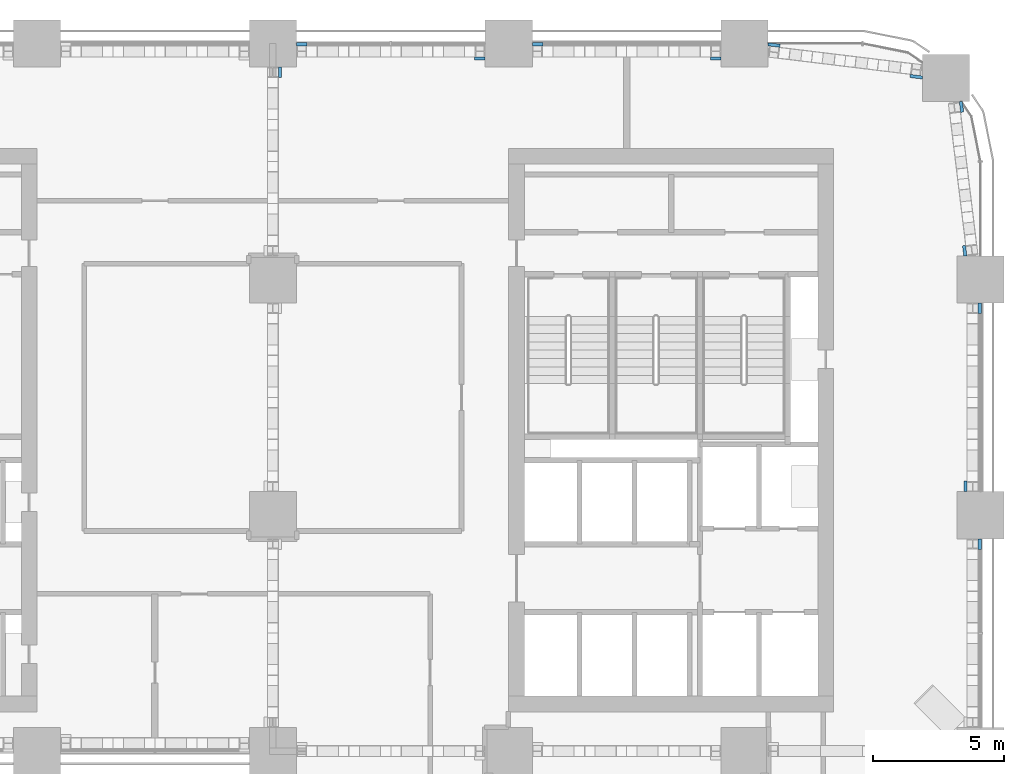
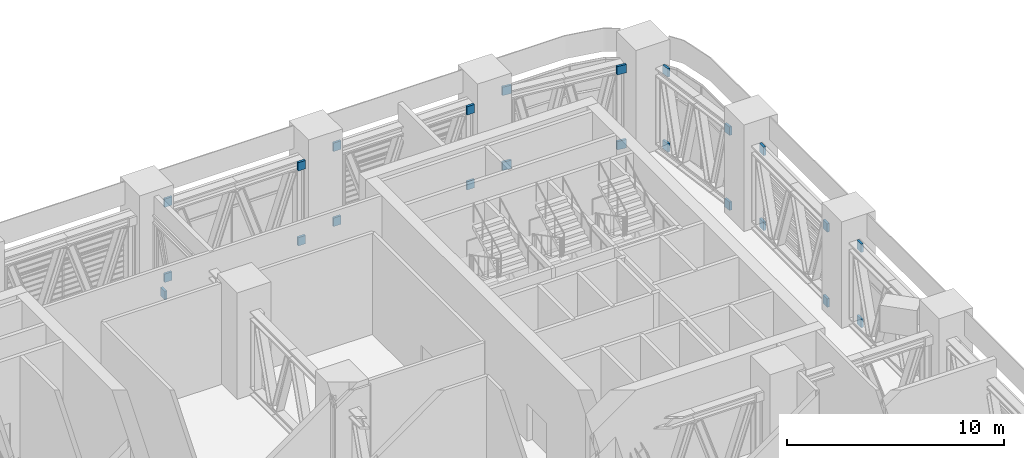
# One storey, part 21 of 24: 23 discrete accessories.
"""IFC4 building model written with IfcOpenShell, lengths in metres."""

from ifc_helpers import new_model, si_unit, direction, frame, origin, place, context, subcontext, project, spatial, polyline, outline, extrude, element, save


model = new_model("IFC4")

# Units and contexts
model_context = context("Model", 3, precision=1e-05, world=origin(), true_north=direction((0.0, 1.0)))
body_context = subcontext(model_context, "Body", "Model", "MODEL_VIEW")
ifc_project = project(units=[si_unit("LENGTHUNIT", "METRE"), si_unit("AREAUNIT", "SQUARE_METRE"), si_unit("VOLUMEUNIT", "CUBIC_METRE"), si_unit("PLANEANGLEUNIT", "RADIAN"), si_unit("MASSUNIT", "GRAM", prefix="KILO")], contexts=[model_context])

# Site, building, storey
site_placement = place(None, origin())
site = spatial("IfcSite", under=ifc_project, at=site_placement, CompositionType="ELEMENT")
building_placement = place(site_placement, origin())
building = spatial("IfcBuilding", under=site, at=building_placement, Name="Tessera Arch", CompositionType="ELEMENT")
storey_placement = place(building_placement, frame((0.0, 0.0, 123.39990234375)))
storey = spatial("IfcBuildingStorey", under=building, at=storey_placement, Name="L29", CompositionType="ELEMENT", Elevation=123.39990234375)

# Discrete accessories
discrete_accessory_1_placement = place(storey_placement, frame((0.0, 0.0, 4.225830078125)))
element("IfcDiscreteAccessory", 1, at=discrete_accessory_1_placement, inside=storey, Name="Chord seat bracket", PredefinedType="BRACKET", context=body_context, shape_type="SweptSolid", body=[
    extrude(outline(polyline([(43.699951171875, 53.488037109375), (44.10009765625, 53.488037109375), (44.10009765625, 53.367919921875), (43.699951171875, 53.367919921875), (43.699951171875, 53.488037109375)])), origin(), (0.0, 0.0, 1.0), 0.474365234375),
])
discrete_accessory_2_placement = place(storey_placement, frame((0.0, 0.0, 4.225830078125)))
element("IfcDiscreteAccessory", 2, at=discrete_accessory_2_placement, inside=storey, Name="Chord seat bracket", PredefinedType="BRACKET", context=body_context, shape_type="SweptSolid", body=[
    extrude(outline(polyline([(36.89990234375, 53.912109375), (36.89990234375, 54.031982421875), (37.300048828125, 54.031982421875), (37.300048828125, 53.912109375), (36.89990234375, 53.912109375)])), origin(), (0.0, 0.0, 1.0), 0.474365234375),
])
discrete_accessory_3_placement = place(storey_placement, origin())
element("IfcDiscreteAccessory", 3, at=discrete_accessory_3_placement, inside=storey, Name="Chord seat bracket", PredefinedType="BRACKET", context=body_context, shape_type="SweptSolid", body=[
    extrude(outline(polyline([(43.699951171875, 53.488037109375), (44.10009765625, 53.488037109375), (44.10009765625, 53.367919921875), (43.699951171875, 53.367919921875), (43.699951171875, 53.488037109375)])), origin(), (0.0, 0.0, 1.0), 0.474365234375),
])
discrete_accessory_4_placement = place(storey_placement, origin())
element("IfcDiscreteAccessory", 4, at=discrete_accessory_4_placement, inside=storey, Name="Chord seat bracket", PredefinedType="BRACKET", context=body_context, shape_type="SweptSolid", body=[
    extrude(outline(polyline([(36.89990234375, 53.912109375), (36.89990234375, 54.031982421875), (37.300048828125, 54.031982421875), (37.300048828125, 53.912109375), (36.89990234375, 53.912109375)])), origin(), (0.0, 0.0, 1.0), 0.474365234375),
])
discrete_accessory_5_placement = place(storey_placement, frame((0.0, 0.0, 4.225830078125)))
element("IfcDiscreteAccessory", 5, at=discrete_accessory_5_placement, inside=storey, Name="Chord seat bracket", PredefinedType="BRACKET", context=body_context, shape_type="SweptSolid", body=[
    extrude(outline(polyline([(35.10009765625, 53.488037109375), (35.10009765625, 53.367919921875), (34.699951171875, 53.367919921875), (34.699951171875, 53.488037109375), (35.10009765625, 53.488037109375)])), origin(), (0.0, 0.0, 1.0), 0.474365234375),
])
discrete_accessory_6_placement = place(storey_placement, frame((0.0, 0.0, 4.225830078125)))
element("IfcDiscreteAccessory", 6, at=discrete_accessory_6_placement, inside=storey, Name="Chord seat bracket", PredefinedType="BRACKET", context=body_context, shape_type="SweptSolid", body=[
    extrude(outline(polyline([(28.300048828125, 53.912109375), (27.89990234375, 53.912109375), (27.89990234375, 54.031982421875), (28.300048828125, 54.031982421875), (28.300048828125, 53.912109375)])), origin(), (0.0, 0.0, 1.0), 0.474365234375),
])
discrete_accessory_7_placement = place(storey_placement, origin())
element("IfcDiscreteAccessory", 7, at=discrete_accessory_7_placement, inside=storey, Name="Chord seat bracket", PredefinedType="BRACKET", context=body_context, shape_type="SweptSolid", body=[
    extrude(outline(polyline([(35.10009765625, 53.488037109375), (35.10009765625, 53.367919921875), (34.699951171875, 53.367919921875), (34.699951171875, 53.488037109375), (35.10009765625, 53.488037109375)])), origin(), (0.0, 0.0, 1.0), 0.474365234375),
])
discrete_accessory_8_placement = place(storey_placement, origin())
element("IfcDiscreteAccessory", 8, at=discrete_accessory_8_placement, inside=storey, Name="Chord seat bracket", PredefinedType="BRACKET", context=body_context, shape_type="SweptSolid", body=[
    extrude(outline(polyline([(28.300048828125, 53.912109375), (27.89990234375, 53.912109375), (27.89990234375, 54.031982421875), (28.300048828125, 54.031982421875), (28.300048828125, 53.912109375)])), origin(), (0.0, 0.0, 1.0), 0.474365234375),
])
for number, where, name in (
    (9, (0.0, 0.0, 4.225830078125), "Chord seat bracket"),
    (10, (0.0, 0.0, 0.0), "Chord seat bracket"),
):
    element("IfcDiscreteAccessory", number, at=place(storey_placement, frame(where)), inside=storey, Name=name, PredefinedType="BRACKET", context=body_context, shape_type="SweptSolid", body=[
        extrude(outline(polyline([(53.912109375, 35.10009765625), (54.031982421875, 35.10009765625), (54.031982421875, 34.699951171875), (53.912109375, 34.699951171875), (53.912109375, 35.10009765625)])), origin(), (0.0, 0.0, 1.0), 0.474365234375),
    ])
discrete_accessory_9_placement = place(storey_placement, frame((0.0, 0.0, 4.225830078125)))
element("IfcDiscreteAccessory", 11, at=discrete_accessory_9_placement, inside=storey, Name="Chord seat bracket", PredefinedType="BRACKET", context=body_context, shape_type="SweptSolid", body=[
    extrude(outline(polyline([(53.488037109375, 36.89990234375), (53.367919921875, 36.89990234375), (53.367919921875, 37.300048828125), (53.488037109375, 37.300048828125), (53.488037109375, 36.89990234375)])), origin(), (0.0, 0.0, 1.0), 0.474365234375),
])
discrete_accessory_10_placement = place(storey_placement, frame((0.0, 0.0, 4.225830078125)))
element("IfcDiscreteAccessory", 12, at=discrete_accessory_10_placement, inside=storey, Name="Chord seat bracket", PredefinedType="BRACKET", context=body_context, shape_type="SweptSolid", body=[
    extrude(outline(polyline([(53.912109375, 43.699951171875), (53.912109375, 44.10009765625), (54.031982421875, 44.10009765625), (54.031982421875, 43.699951171875), (53.912109375, 43.699951171875)])), origin(), (0.0, 0.0, 1.0), 0.474365234375),
])
discrete_accessory_11_placement = place(storey_placement, origin())
element("IfcDiscreteAccessory", 13, at=discrete_accessory_11_placement, inside=storey, Name="Chord seat bracket", PredefinedType="BRACKET", context=body_context, shape_type="SweptSolid", body=[
    extrude(outline(polyline([(53.488037109375, 36.89990234375), (53.367919921875, 36.89990234375), (53.367919921875, 37.300048828125), (53.488037109375, 37.300048828125), (53.488037109375, 36.89990234375)])), origin(), (0.0, 0.0, 1.0), 0.474365234375),
])
discrete_accessory_12_placement = place(storey_placement, origin())
element("IfcDiscreteAccessory", 14, at=discrete_accessory_12_placement, inside=storey, Name="Chord seat bracket", PredefinedType="BRACKET", context=body_context, shape_type="SweptSolid", body=[
    extrude(outline(polyline([(53.912109375, 43.699951171875), (53.912109375, 44.10009765625), (54.031982421875, 44.10009765625), (54.031982421875, 43.699951171875), (53.912109375, 43.699951171875)])), origin(), (0.0, 0.0, 1.0), 0.474365234375),
])
discrete_accessory_13_placement = place(storey_placement, frame((0.0, 0.0, 4.225830078125)))
element("IfcDiscreteAccessory", 15, at=discrete_accessory_13_placement, inside=storey, Name="Chord seat bracket", PredefinedType="BRACKET", context=body_context, shape_type="SweptSolid", body=[
    extrude(outline(polyline([(53.435791015625, 46.297119140625), (53.484130859375, 45.89990234375), (53.36328125, 45.89990234375), (53.316650390625, 46.282470703125), (53.435791015625, 46.297119140625)])), origin(), (0.0, 0.0, 1.0), 0.474365234375),
])
discrete_accessory_14_placement = place(storey_placement, frame((0.0, 0.0, 4.225830078125)))
element("IfcDiscreteAccessory", 16, at=discrete_accessory_14_placement, inside=storey, Name="Chord seat bracket", PredefinedType="BRACKET", context=body_context, shape_type="SweptSolid", body=[
    extrude(outline(polyline([(53.244384765625, 51.374267578125), (53.194580078125, 51.781982421875), (53.315673828125, 51.781982421875), (53.363525390625, 51.388916015625), (53.244384765625, 51.374267578125)])), origin(), (0.0, 0.0, 1.0), 0.474365234375),
])
discrete_accessory_15_placement = place(storey_placement, origin())
element("IfcDiscreteAccessory", 17, at=discrete_accessory_15_placement, inside=storey, Name="Chord seat bracket", PredefinedType="BRACKET", context=body_context, shape_type="SweptSolid", body=[
    extrude(outline(polyline([(53.435791015625, 46.297119140625), (53.484130859375, 45.89990234375), (53.36328125, 45.89990234375), (53.316650390625, 46.282470703125), (53.435791015625, 46.297119140625)])), origin(), (0.0, 0.0, 1.0), 0.474365234375),
])
discrete_accessory_16_placement = place(storey_placement, origin())
element("IfcDiscreteAccessory", 18, at=discrete_accessory_16_placement, inside=storey, Name="Chord seat bracket", PredefinedType="BRACKET", context=body_context, shape_type="SweptSolid", body=[
    extrude(outline(polyline([(53.244384765625, 51.374267578125), (53.194580078125, 51.781982421875), (53.315673828125, 51.781982421875), (53.363525390625, 51.388916015625), (53.244384765625, 51.374267578125)])), origin(), (0.0, 0.0, 1.0), 0.474365234375),
])
discrete_accessory_17_placement = place(storey_placement, frame((0.0, 0.0, 4.225830078125)))
element("IfcDiscreteAccessory", 19, at=discrete_accessory_17_placement, inside=storey, Name="Chord seat bracket", PredefinedType="BRACKET", context=body_context, shape_type="SweptSolid", body=[
    extrude(outline(polyline([(51.322998046875, 52.823486328125), (51.781982421875, 52.767578125), (51.781982421875, 52.646484375), (51.30859375, 52.704345703125), (51.322998046875, 52.823486328125)])), origin(), (0.0, 0.0, 1.0), 0.474365234375),
])
discrete_accessory_18_placement = place(storey_placement, frame((0.0, 0.0, 4.225830078125)))
element("IfcDiscreteAccessory", 20, at=discrete_accessory_18_placement, inside=storey, Name="Chord seat bracket", PredefinedType="BRACKET", context=body_context, shape_type="SweptSolid", body=[
    extrude(outline(polyline([(46.348388671875, 53.856689453125), (45.89990234375, 53.911376953125), (45.89990234375, 54.0322265625), (46.36279296875, 53.975830078125), (46.348388671875, 53.856689453125)])), origin(), (0.0, 0.0, 1.0), 0.474365234375),
])
discrete_accessory_19_placement = place(storey_placement, origin())
element("IfcDiscreteAccessory", 21, at=discrete_accessory_19_placement, inside=storey, Name="Chord seat bracket", PredefinedType="BRACKET", context=body_context, shape_type="SweptSolid", body=[
    extrude(outline(polyline([(51.322998046875, 52.823486328125), (51.781982421875, 52.767578125), (51.781982421875, 52.646484375), (51.30859375, 52.704345703125), (51.322998046875, 52.823486328125)])), origin(), (0.0, 0.0, 1.0), 0.474365234375),
])
discrete_accessory_20_placement = place(storey_placement, origin())
element("IfcDiscreteAccessory", 22, at=discrete_accessory_20_placement, inside=storey, Name="Chord seat bracket", PredefinedType="BRACKET", context=body_context, shape_type="SweptSolid", body=[
    extrude(outline(polyline([(46.348388671875, 53.856689453125), (45.89990234375, 53.911376953125), (45.89990234375, 54.0322265625), (46.36279296875, 53.975830078125), (46.348388671875, 53.856689453125)])), origin(), (0.0, 0.0, 1.0), 0.474365234375),
])
discrete_accessory_21_placement = place(storey_placement, origin())
element("IfcDiscreteAccessory", 23, at=discrete_accessory_21_placement, inside=storey, Name="Chord seat bracket", PredefinedType="BRACKET", context=body_context, shape_type="SweptSolid", body=[
    extrude(outline(polyline([(27.2119140625, 52.699951171875), (27.2119140625, 53.10009765625), (27.33203125, 53.10009765625), (27.33203125, 52.699951171875), (27.2119140625, 52.699951171875)])), origin(), (0.0, 0.0, 1.0), 0.474365234375),
])

save(model, "model.ifc")
